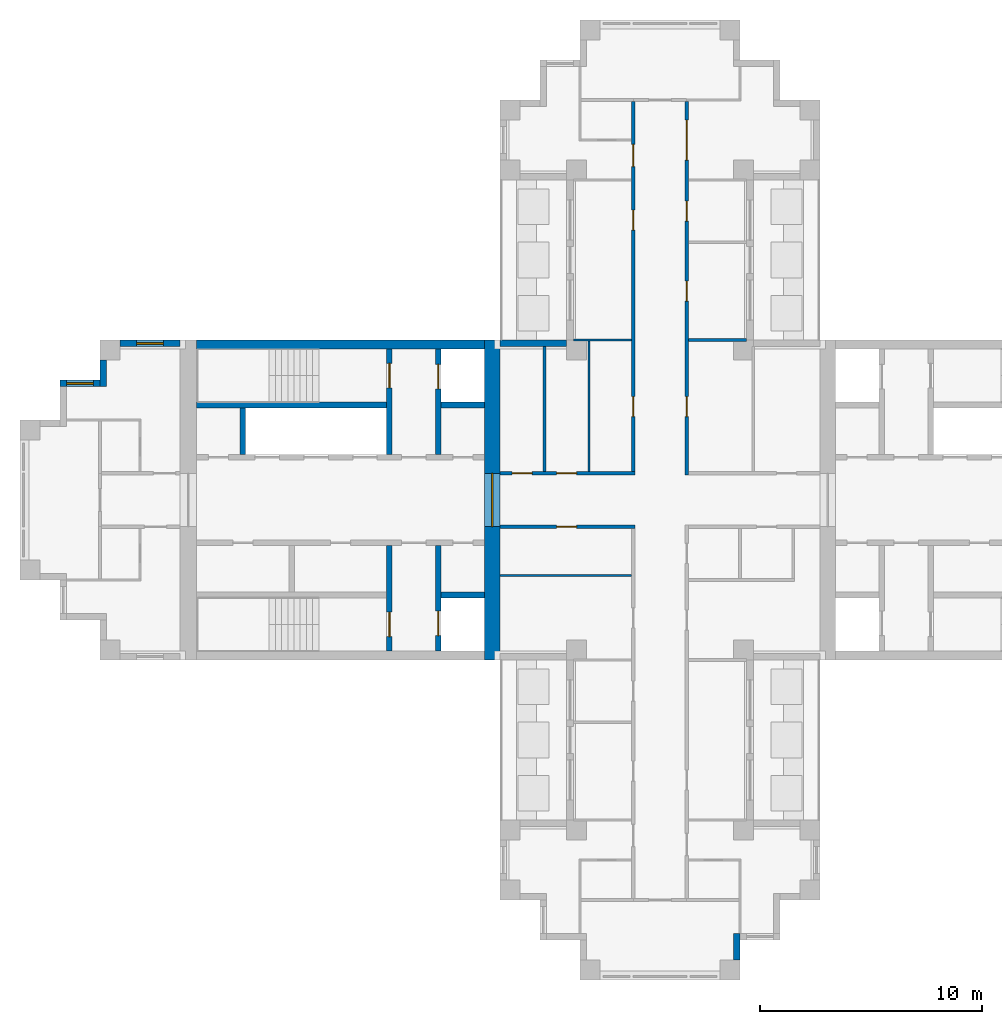
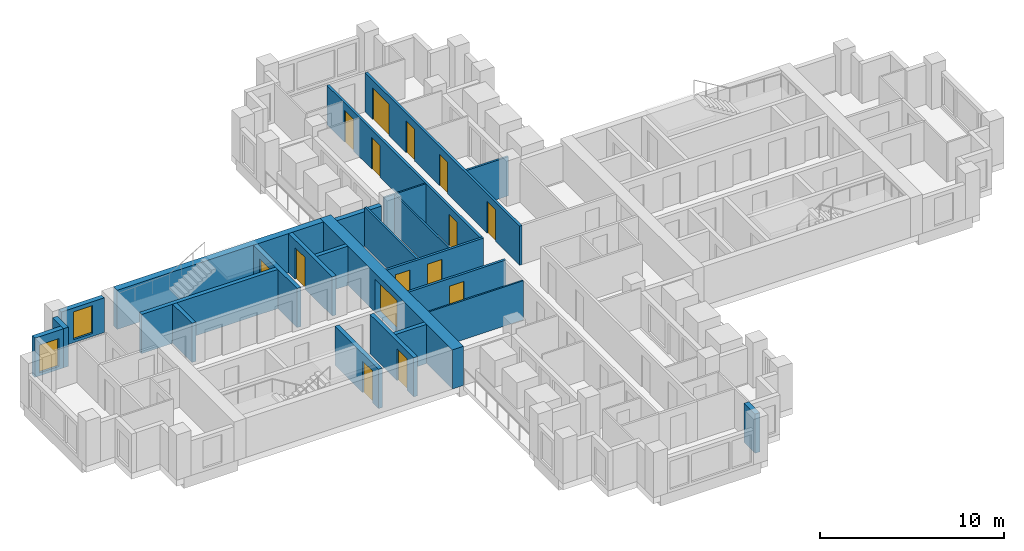
# One storey, part 4 of 10: 24 walls, 15 doors, 2 windows, 17 openings.
"""IFC4 building model written with IfcOpenShell, lengths in metres."""

from ifc_helpers import new_model, si_unit, direction, frame, frame_2d, origin, place, context, subcontext, project, spatial, rectangle, extrude, material, layer, layer_set, type_object, element, fill, save


model = new_model("IFC4")

# Units and contexts
model_context = context("Model", 3, precision=1e-05, world=origin(), true_north=direction((0.0, 1.0)))
body_context = subcontext(model_context, "Body", "Model", "MODEL_VIEW")
ifc_project = project(units=[si_unit("LENGTHUNIT", "METRE"), si_unit("AREAUNIT", "SQUARE_METRE"), si_unit("VOLUMEUNIT", "CUBIC_METRE"), si_unit("PLANEANGLEUNIT", "RADIAN"), si_unit("MASSUNIT", "GRAM", prefix="KILO")], contexts=[model_context])

# Site, building, storey
site_placement = place(None, origin())
site = spatial("IfcSite", under=ifc_project, at=site_placement, CompositionType="ELEMENT")
building_placement = place(site_placement, origin())
building = spatial("IfcBuilding", under=site, at=building_placement, Name="Fustian Cross Tower", CompositionType="ELEMENT")
storey_placement = place(building_placement, frame((0.0, 0.0, 204.89990234375)))
storey = spatial("IfcBuildingStorey", under=building, at=storey_placement, Name="L64", CompositionType="ELEMENT", Elevation=204.89990234375)

# Wall, opening, door
ifc_material_1 = material(Name="Plasterboard on steel stud", Category="steel")
ifc_layer_1 = layer(ifc_material_1, 0.14990234375)
ifc_layer_set_1 = layer_set([ifc_layer_1], Name="Plasterboard on steel stud")
wall_type_1 = type_object("IfcWallType", Name="COMPARTMENT WALL 150 EI 60", PredefinedType="PARTITIONING", material=ifc_layer_set_1)
wall_1_placement = place(storey_placement, frame((-7.199951171875, -1.199951171875, 0.0), z_axis=(0.0, 0.0, 1.0), x_axis=(1.0, 0.0, 0.0)))
wall_1 = element("IfcWall", 1, at=wall_1_placement, inside=storey, type_object=wall_type_1, Name="Partition 11", PredefinedType="PARTITIONING", context=body_context, shape_type="SweptSolid", body=[
    extrude(rectangle(XDim=6.074951171875, YDim=0.14990234375, at=frame_2d((3.03759765625, 0.0))), origin(), (0.0, 0.0, 1.0), 2.60009765625),
])
opening_1_placement = place(wall_1_placement, frame((2.550048828125, 0.0, 0.0)))
opening_1 = element("IfcOpeningElement", 2, at=opening_1_placement, cuts=wall_1, Name="Opening D29009", PredefinedType="OPENING", context=body_context, shape_type="SweptSolid", body=[
    extrude(rectangle(XDim=0.89990234375, YDim=2.10009765625, at=frame_2d((0.449951171875, 1.050048828125))), frame((0.0, 0.0849609375, 0.0), z_axis=(0.0, -1.0, 0.0), x_axis=(1.0, 0.0, 0.0)), (0.0, 0.0, 1.0), 0.169921875),
])
ifc_material_2 = material(Name="Timber fire door set", Category="wood")
door_type_1 = type_object("IfcDoorType", Name="FIRE SWING DOOR 900 FD30S", OperationType="SINGLE_SWING_LEFT", PredefinedType="DOOR", material=ifc_material_2)
door_1_placement = place(opening_1_placement, frame((0.89990234375, 0.0, 0.0), z_axis=(0.0, 0.0, 1.0), x_axis=(-1.0, 0.0, 0.0)))
door_1 = element("IfcDoor", 3, at=door_1_placement, inside=storey, type_object=door_type_1, Name="Door D29009", OperationType="SINGLE_SWING_RIGHT", OverallHeight=2.10009765625, OverallWidth=0.89990234375, PredefinedType="DOOR", context=body_context, shape_type="SweptSolid", body=[
    extrude(rectangle(XDim=0.89990234375, YDim=2.10009765625, at=frame_2d((0.449951171875, 1.050048828125))), frame((0.0, 0.02490234375, 0.0), z_axis=(0.0, -1.0, 0.0), x_axis=(1.0, 0.0, 0.0)), (0.0, 0.0, 1.0), 0.050048828125),
])
fill(opening_1, door_1)

# Wall, openings, doors
wall_2_placement = place(storey_placement, frame((-7.199951171875, 1.199951171875, 0.0), z_axis=(0.0, 0.0, 1.0), x_axis=(1.0, 0.0, 0.0)))
wall_2 = element("IfcWall", 4, at=wall_2_placement, inside=storey, type_object=wall_type_1, Name="Partition 12", PredefinedType="PARTITIONING", context=body_context, shape_type="SweptSolid", body=[
    extrude(rectangle(XDim=6.074951171875, YDim=0.14990234375, at=frame_2d((3.03759765625, 0.0))), origin(), (0.0, 0.0, 1.0), 2.60009765625),
])
opening_2_placement = place(wall_2_placement, frame((2.550048828125, 0.0, 0.0)))
opening_2 = element("IfcOpeningElement", 5, at=opening_2_placement, cuts=wall_2, Name="Opening D29004", PredefinedType="OPENING", context=body_context, shape_type="SweptSolid", body=[
    extrude(rectangle(XDim=0.89990234375, YDim=2.10009765625, at=frame_2d((0.449951171875, 1.050048828125))), frame((0.0, 0.0849609375, 0.0), z_axis=(0.0, -1.0, 0.0), x_axis=(1.0, 0.0, 0.0)), (0.0, 0.0, 1.0), 0.169921875),
])
opening_3_placement = place(wall_2_placement, frame((0.550048828125, 0.0, 0.0)))
opening_3 = element("IfcOpeningElement", 6, at=opening_3_placement, cuts=wall_2, Name="Opening D29005", PredefinedType="OPENING", context=body_context, shape_type="SweptSolid", body=[
    extrude(rectangle(XDim=0.89990234375, YDim=2.10009765625, at=frame_2d((0.449951171875, 1.050048828125))), frame((0.0, 0.0849609375, 0.0), z_axis=(0.0, -1.0, 0.0), x_axis=(1.0, 0.0, 0.0)), (0.0, 0.0, 1.0), 0.169921875),
])
door_2_placement = place(opening_2_placement, origin())
door_2 = element("IfcDoor", 7, at=door_2_placement, inside=storey, type_object=door_type_1, Name="Door D29004", OperationType="SINGLE_SWING_LEFT", OverallHeight=2.10009765625, OverallWidth=0.89990234375, PredefinedType="DOOR", context=body_context, shape_type="SweptSolid", body=[
    extrude(rectangle(XDim=0.89990234375, YDim=2.10009765625, at=frame_2d((0.449951171875, 1.050048828125))), frame((0.0, 0.02490234375, 0.0), z_axis=(0.0, -1.0, 0.0), x_axis=(1.0, 0.0, 0.0)), (0.0, 0.0, 1.0), 0.050048828125),
])
fill(opening_2, door_2)
door_3_placement = place(opening_3_placement, origin())
door_3 = element("IfcDoor", 8, at=door_3_placement, inside=storey, type_object=door_type_1, Name="Door D29005", OperationType="SINGLE_SWING_LEFT", OverallHeight=2.10009765625, OverallWidth=0.89990234375, PredefinedType="DOOR", context=body_context, shape_type="SweptSolid", body=[
    extrude(rectangle(XDim=0.89990234375, YDim=2.10009765625, at=frame_2d((0.449951171875, 1.050048828125))), frame((0.0, 0.02490234375, 0.0), z_axis=(0.0, -1.0, 0.0), x_axis=(1.0, 0.0, 0.0)), (0.0, 0.0, 1.0), 0.050048828125),
])
fill(opening_3, door_3)

wall_3_placement = place(storey_placement, frame((-1.199951171875, 1.27490234375, 0.0), z_axis=(0.0, 0.0, 1.0), x_axis=(0.0, 1.0, 0.0)))
wall_3 = element("IfcWall", 9, at=wall_3_placement, inside=storey, type_object=wall_type_1, Name="Partition 28", PredefinedType="PARTITIONING", context=body_context, shape_type="SweptSolid", body=[
    extrude(rectangle(XDim=16.650146484375, YDim=0.14990234375, at=frame_2d((8.3251953125, 0.0))), origin(), (0.0, 0.0, 1.0), 2.60009765625),
])
opening_4_placement = place(wall_3_placement, frame((2.47509765625, 0.0, 0.0)))
opening_4 = element("IfcOpeningElement", 10, at=opening_4_placement, cuts=wall_3, Name="Opening D29003", PredefinedType="OPENING", context=body_context, shape_type="SweptSolid", body=[
    extrude(rectangle(XDim=0.89990234375, YDim=2.10009765625, at=frame_2d((0.449951171875, 1.050048828125))), frame((0.0, 0.0849609375, 0.0), z_axis=(0.0, -1.0, 0.0), x_axis=(1.0, 0.0, 0.0)), (0.0, 0.0, 1.0), 0.169921875),
])
opening_5_placement = place(wall_3_placement, frame((10.875, 0.0, 0.0)))
opening_5 = element("IfcOpeningElement", 11, at=opening_5_placement, cuts=wall_3, Name="Opening D29015", PredefinedType="OPENING", context=body_context, shape_type="SweptSolid", body=[
    extrude(rectangle(XDim=0.89990234375, YDim=2.10009765625, at=frame_2d((0.449951171875, 1.050048828125))), frame((0.0, 0.0849609375, 0.0), z_axis=(0.0, -1.0, 0.0), x_axis=(1.0, 0.0, 0.0)), (0.0, 0.0, 1.0), 0.169921875),
])
opening_6_placement = place(wall_3_placement, frame((13.72509765625, 0.0, 0.0)))
opening_6 = element("IfcOpeningElement", 12, at=opening_6_placement, cuts=wall_3, Name="Opening D29017", PredefinedType="OPENING", context=body_context, shape_type="SweptSolid", body=[
    extrude(rectangle(XDim=1.0, YDim=2.10009765625, at=frame_2d((0.5, 1.050048828125))), frame((0.0, 0.0849609375, 0.0), z_axis=(0.0, -1.0, 0.0), x_axis=(1.0, 0.0, 0.0)), (0.0, 0.0, 1.0), 0.169921875),
])
ifc_material_3 = material(Name="Timber fire door set", Category="wood")
door_type_2 = type_object("IfcDoorType", Name="FIRE SWING DOOR 1000 FD30S", OperationType="SINGLE_SWING_LEFT", PredefinedType="DOOR", material=ifc_material_3)
door_4_placement = place(opening_6_placement, origin())
door_4 = element("IfcDoor", 13, at=door_4_placement, inside=storey, type_object=door_type_2, Name="Door D29017", OperationType="SINGLE_SWING_RIGHT", OverallHeight=2.10009765625, OverallWidth=1.0, PredefinedType="DOOR", context=body_context, shape_type="SweptSolid", body=[
    extrude(rectangle(XDim=1.0, YDim=2.10009765625, at=frame_2d((0.5, 1.050048828125))), frame((0.0, 0.02490234375, 0.0), z_axis=(0.0, -1.0, 0.0), x_axis=(1.0, 0.0, 0.0)), (0.0, 0.0, 1.0), 0.050048828125),
])
fill(opening_6, door_4)
door_5_placement = place(opening_4_placement, origin())
door_5 = element("IfcDoor", 14, at=door_5_placement, inside=storey, type_object=door_type_1, Name="Door D29003", OperationType="SINGLE_SWING_LEFT", OverallHeight=2.10009765625, OverallWidth=0.89990234375, PredefinedType="DOOR", context=body_context, shape_type="SweptSolid", body=[
    extrude(rectangle(XDim=0.89990234375, YDim=2.10009765625, at=frame_2d((0.449951171875, 1.050048828125))), frame((0.0, 0.02490234375, 0.0), z_axis=(0.0, -1.0, 0.0), x_axis=(1.0, 0.0, 0.0)), (0.0, 0.0, 1.0), 0.050048828125),
])
fill(opening_4, door_5)
door_6_placement = place(opening_5_placement, origin())
door_6 = element("IfcDoor", 15, at=door_6_placement, inside=storey, type_object=door_type_1, Name="Door D29015", OperationType="SINGLE_SWING_RIGHT", OverallHeight=2.10009765625, OverallWidth=0.89990234375, PredefinedType="DOOR", context=body_context, shape_type="SweptSolid", body=[
    extrude(rectangle(XDim=0.89990234375, YDim=2.10009765625, at=frame_2d((0.449951171875, 1.050048828125))), frame((0.0, 0.02490234375, 0.0), z_axis=(0.0, -1.0, 0.0), x_axis=(1.0, 0.0, 0.0)), (0.0, 0.0, 1.0), 0.050048828125),
])
fill(opening_5, door_6)

wall_4_placement = place(storey_placement, frame((1.199951171875, 1.125, 0.0), z_axis=(0.0, 0.0, 1.0), x_axis=(0.0, 1.0, 0.0)))
wall_4 = element("IfcWall", 16, at=wall_4_placement, inside=storey, type_object=wall_type_1, Name="Partition 37", PredefinedType="PARTITIONING", context=body_context, shape_type="SweptSolid", body=[
    extrude(rectangle(XDim=16.800048828125, YDim=0.14990234375, at=frame_2d((8.39990234375, 0.0))), origin(), (0.0, 0.0, 1.0), 2.60009765625),
])
opening_7_placement = place(wall_4_placement, frame((2.625, 0.0, 0.0)))
opening_7 = element("IfcOpeningElement", 17, at=opening_7_placement, cuts=wall_4, Name="Opening D29001", PredefinedType="OPENING", context=body_context, shape_type="SweptSolid", body=[
    extrude(rectangle(XDim=0.89990234375, YDim=2.10009765625, at=frame_2d((0.449951171875, 1.050048828125))), frame((0.0, 0.0849609375, 0.0), z_axis=(0.0, -1.0, 0.0), x_axis=(1.0, 0.0, 0.0)), (0.0, 0.0, 1.0), 0.169921875),
])
opening_8_placement = place(wall_4_placement, frame((11.425048828125, 0.0, 0.0)))
opening_8 = element("IfcOpeningElement", 18, at=opening_8_placement, cuts=wall_4, Name="Opening D29018", PredefinedType="OPENING", context=body_context, shape_type="SweptSolid", body=[
    extrude(rectangle(XDim=0.89990234375, YDim=2.10009765625, at=frame_2d((0.449951171875, 1.050048828125))), frame((0.0, 0.0849609375, 0.0), z_axis=(0.0, -1.0, 0.0), x_axis=(1.0, 0.0, 0.0)), (0.0, 0.0, 1.0), 0.169921875),
])
opening_9_placement = place(wall_4_placement, frame((7.824951171875, 0.0, 0.0)))
opening_9 = element("IfcOpeningElement", 19, at=opening_9_placement, cuts=wall_4, Name="Opening D29019", PredefinedType="OPENING", context=body_context, shape_type="SweptSolid", body=[
    extrude(rectangle(XDim=0.89990234375, YDim=2.10009765625, at=frame_2d((0.449951171875, 1.050048828125))), frame((0.0, 0.0849609375, 0.0), z_axis=(0.0, -1.0, 0.0), x_axis=(1.0, 0.0, 0.0)), (0.0, 0.0, 1.0), 0.169921875),
])
opening_10_placement = place(wall_4_placement, frame((14.175048828125, 0.0, 0.0)))
opening_10 = element("IfcOpeningElement", 20, at=opening_10_placement, cuts=wall_4, Name="Opening D29020", PredefinedType="OPENING", context=body_context, shape_type="SweptSolid", body=[
    extrude(rectangle(XDim=1.800048828125, YDim=2.10009765625, at=frame_2d((0.89990234375, 1.050048828125))), frame((0.0, 0.0849609375, 0.0), z_axis=(0.0, -1.0, 0.0), x_axis=(1.0, 0.0, 0.0)), (0.0, 0.0, 1.0), 0.169921875),
])
ifc_material_4 = material(Name="Timber fire door set", Category="wood")
door_type_3 = type_object("IfcDoorType", Name="FIRE DOUBLE DOOR 1800 FD30S", OperationType="DOUBLE_DOOR_DOUBLE_SWING", PredefinedType="DOOR", material=ifc_material_4)
door_7_placement = place(opening_10_placement, origin())
door_7 = element("IfcDoor", 21, at=door_7_placement, inside=storey, type_object=door_type_3, Name="Door D29020", OperationType="DOUBLE_DOOR_DOUBLE_SWING", OverallHeight=2.10009765625, OverallWidth=1.800048828125, PredefinedType="DOOR", context=body_context, shape_type="SweptSolid", body=[
    extrude(rectangle(XDim=1.800048828125, YDim=2.10009765625, at=frame_2d((0.89990234375, 1.050048828125))), frame((0.0, 0.02490234375, 0.0), z_axis=(0.0, -1.0, 0.0), x_axis=(1.0, 0.0, 0.0)), (0.0, 0.0, 1.0), 0.050048828125),
])
fill(opening_10, door_7)
door_8_placement = place(opening_7_placement, frame((0.89990234375, 0.0, 0.0), z_axis=(0.0, 0.0, 1.0), x_axis=(-1.0, 0.0, 0.0)))
door_8 = element("IfcDoor", 22, at=door_8_placement, inside=storey, type_object=door_type_1, Name="Door D29001", OperationType="SINGLE_SWING_RIGHT", OverallHeight=2.10009765625, OverallWidth=0.89990234375, PredefinedType="DOOR", context=body_context, shape_type="SweptSolid", body=[
    extrude(rectangle(XDim=0.89990234375, YDim=2.10009765625, at=frame_2d((0.449951171875, 1.050048828125))), frame((0.0, 0.02490234375, 0.0), z_axis=(0.0, -1.0, 0.0), x_axis=(1.0, 0.0, 0.0)), (0.0, 0.0, 1.0), 0.050048828125),
])
fill(opening_7, door_8)
door_9_placement = place(opening_8_placement, frame((0.89990234375, 0.0, 0.0), z_axis=(0.0, 0.0, 1.0), x_axis=(-1.0, 0.0, 0.0)))
door_9 = element("IfcDoor", 23, at=door_9_placement, inside=storey, type_object=door_type_1, Name="Door D29018", OperationType="SINGLE_SWING_RIGHT", OverallHeight=2.10009765625, OverallWidth=0.89990234375, PredefinedType="DOOR", context=body_context, shape_type="SweptSolid", body=[
    extrude(rectangle(XDim=0.89990234375, YDim=2.10009765625, at=frame_2d((0.449951171875, 1.050048828125))), frame((0.0, 0.02490234375, 0.0), z_axis=(0.0, -1.0, 0.0), x_axis=(1.0, 0.0, 0.0)), (0.0, 0.0, 1.0), 0.050048828125),
])
fill(opening_8, door_9)
door_10_placement = place(opening_9_placement, frame((0.89990234375, 0.0, 0.0), z_axis=(0.0, 0.0, 1.0), x_axis=(-1.0, 0.0, 0.0)))
door_10 = element("IfcDoor", 24, at=door_10_placement, inside=storey, type_object=door_type_1, Name="Door D29019", OperationType="SINGLE_SWING_RIGHT", OverallHeight=2.10009765625, OverallWidth=0.89990234375, PredefinedType="DOOR", context=body_context, shape_type="SweptSolid", body=[
    extrude(rectangle(XDim=0.89990234375, YDim=2.10009765625, at=frame_2d((0.449951171875, 1.050048828125))), frame((0.0, 0.02490234375, 0.0), z_axis=(0.0, -1.0, 0.0), x_axis=(1.0, 0.0, 0.0)), (0.0, 0.0, 1.0), 0.050048828125),
])
fill(opening_9, door_10)

# Wall, opening, door
ifc_material_5 = material(Name="Concrete C50/60", Category="concrete")
ifc_layer_2 = layer(ifc_material_5, 0.699951171875)
ifc_layer_set_2 = layer_set([ifc_layer_2], Name="Concrete C50/60")
wall_type_2 = type_object("IfcWallType", Name="CORE END WALL 700 C50/60", PredefinedType="SHEAR", material=ifc_layer_set_2)
wall_5_placement = place(storey_placement, frame((-7.550048828125, -7.199951171875, 0.0), z_axis=(0.0, 0.0, 1.0), x_axis=(0.0, 1.0, 0.0)))
wall_5 = element("IfcWall", 25, at=wall_5_placement, inside=storey, type_object=wall_type_2, Name="Core end wall", PredefinedType="SHEAR", context=body_context, shape_type="SweptSolid", body=[
    extrude(rectangle(XDim=14.39990234375, YDim=0.699951171875, at=frame_2d((7.199951171875, 0.0))), origin(), (0.0, 0.0, 1.0), 2.60009765625),
])
opening_11_placement = place(wall_5_placement, frame((6.0, 0.0, 0.0)))
opening_11 = element("IfcOpeningElement", 26, at=opening_11_placement, cuts=wall_5, Name="Opening CD-27-28", PredefinedType="OPENING", context=body_context, shape_type="SweptSolid", body=[
    extrude(rectangle(XDim=2.39990234375, YDim=2.199951171875, at=frame_2d((1.199951171875, 1.10009765625))), frame((0.0, 0.35986328125, 0.0), z_axis=(0.0, -1.0, 0.0), x_axis=(1.0, 0.0, 0.0)), (0.0, 0.0, 1.0), 0.719970703125),
])
ifc_material_6 = material(Name="Steel", Category="steel")
door_type_4 = type_object("IfcDoorType", Name="FIRE DOOR FD30S DOUBLE 2400X2200", OperationType="DOUBLE_DOOR_DOUBLE_SWING", PredefinedType="DOOR", material=ifc_material_6)
door_11_placement = place(opening_11_placement, origin())
door_11 = element("IfcDoor", 27, at=door_11_placement, inside=storey, type_object=door_type_4, Name="Core door CD-27-28", OperationType="DOUBLE_DOOR_DOUBLE_SWING", OverallHeight=2.199951171875, OverallWidth=2.39990234375, PredefinedType="DOOR", context=body_context, shape_type="SweptSolid", body=[
    extrude(rectangle(XDim=2.39990234375, YDim=2.199951171875, at=frame_2d((1.199951171875, 1.10009765625))), frame((0.0, 0.02490234375, 0.0), z_axis=(0.0, -1.0, 0.0), x_axis=(1.0, 0.0, 0.0)), (0.0, 0.0, 1.0), 0.050048828125),
])
fill(opening_11, door_11)

# Walls
ifc_material_7 = material(Name="Concrete C50/60", Category="concrete")
ifc_layer_3 = layer(ifc_material_7, 0.39990234375)
ifc_layer_set_3 = layer_set([ifc_layer_3], Name="Concrete C50/60")
wall_type_3 = type_object("IfcWallType", Name="CORE FACADE WALL 400 C50/60", PredefinedType="SHEAR", material=ifc_layer_set_3)
wall_6_placement = place(storey_placement, frame((-7.89990234375, 7.0, 0.0), z_axis=(0.0, 0.0, 1.0), x_axis=(-1.0, 0.0, 0.0)))
element("IfcWall", 28, at=wall_6_placement, inside=storey, type_object=wall_type_3, Name="Core facade wall", PredefinedType="SHEAR", context=body_context, shape_type="SweptSolid", body=[
    extrude(rectangle(XDim=12.9501953125, YDim=0.39990234375, at=frame_2d((6.47509765625, 0.0))), origin(), (0.0, 0.0, 1.0), 2.60009765625),
])
ifc_material_8 = material(Name="Concrete C50/60", Category="concrete")
ifc_layer_4 = layer(ifc_material_8, 0.25)
ifc_layer_set_4 = layer_set([ifc_layer_4], Name="Concrete C50/60")
wall_type_4 = type_object("IfcWallType", Name="CORE SHAFT WALL 250 C50/60", PredefinedType="SHEAR", material=ifc_layer_set_4)
wall_7_placement = place(storey_placement, frame((-7.89990234375, 4.27490234375, 0.0), z_axis=(0.0, 0.0, 1.0), x_axis=(-1.0, 0.0, 0.0)))
element("IfcWall", 29, at=wall_7_placement, inside=storey, type_object=wall_type_4, Name="Core shaft wall", PredefinedType="SHEAR", context=body_context, shape_type="SweptSolid", body=[
    extrude(rectangle(XDim=1.9501953125, YDim=0.25, at=frame_2d((0.97509765625, 0.0))), origin(), (0.0, 0.0, 1.0), 2.60009765625),
])
wall_8_placement = place(storey_placement, frame((-12.300048828125, 4.27490234375, 0.0), z_axis=(0.0, 0.0, 1.0), x_axis=(-1.0, 0.0, 0.0)))
element("IfcWall", 30, at=wall_8_placement, inside=storey, type_object=wall_type_4, Name="Core shaft wall", PredefinedType="SHEAR", context=body_context, shape_type="SweptSolid", body=[
    extrude(rectangle(XDim=8.550048828125, YDim=0.25, at=frame_2d((4.27490234375, 0.0))), origin(), (0.0, 0.0, 1.0), 2.60009765625),
])

# Wall, opening, door
wall_9_placement = place(storey_placement, frame((-9.97509765625, 2.050048828125, 0.0), z_axis=(0.0, 0.0, 1.0), x_axis=(0.0, 1.0, 0.0)))
wall_9 = element("IfcWall", 31, at=wall_9_placement, inside=storey, type_object=wall_type_4, Name="Core shaft wall", PredefinedType="SHEAR", context=body_context, shape_type="SweptSolid", body=[
    extrude(rectangle(XDim=4.75, YDim=0.25, at=frame_2d((2.375, 0.0))), origin(), (0.0, 0.0, 1.0), 2.60009765625),
])
opening_12_placement = place(wall_9_placement, frame((2.949951171875, 0.0, 0.0)))
opening_12 = element("IfcOpeningElement", 32, at=opening_12_placement, cuts=wall_9, Name="Opening LD", PredefinedType="OPENING", context=body_context, shape_type="SweptSolid", body=[
    extrude(rectangle(XDim=1.10009765625, YDim=2.10009765625, at=frame_2d((0.550048828125, 1.050048828125))), frame((0.0, 0.135009765625, 0.0), z_axis=(0.0, -1.0, 0.0), x_axis=(1.0, 0.0, 0.0)), (0.0, 0.0, 1.0), 0.27001953125),
])
ifc_material_9 = material(Name="Stainless steel", Category="steel")
door_type_5 = type_object("IfcDoorType", Name="LIFT LANDING DOOR 1100X2100", OperationType="SLIDING_TO_LEFT", PredefinedType="DOOR", material=ifc_material_9)
door_12_placement = place(opening_12_placement, origin())
door_12 = element("IfcDoor", 33, at=door_12_placement, inside=storey, type_object=door_type_5, Name="Landing door FL1W", OperationType="SLIDING_TO_LEFT", OverallHeight=2.10009765625, OverallWidth=1.10009765625, PredefinedType="DOOR", context=body_context, shape_type="SweptSolid", body=[
    extrude(rectangle(XDim=1.10009765625, YDim=2.10009765625, at=frame_2d((0.550048828125, 1.050048828125))), frame((0.0, 0.02490234375, 0.0), z_axis=(0.0, -1.0, 0.0), x_axis=(1.0, 0.0, 0.0)), (0.0, 0.0, 1.0), 0.050048828125),
])
fill(opening_12, door_12)

wall_10_placement = place(storey_placement, frame((-12.175048828125, 2.050048828125, 0.0), z_axis=(0.0, 0.0, 1.0), x_axis=(0.0, 1.0, 0.0)))
wall_10 = element("IfcWall", 34, at=wall_10_placement, inside=storey, type_object=wall_type_4, Name="Core shaft wall", PredefinedType="SHEAR", context=body_context, shape_type="SweptSolid", body=[
    extrude(rectangle(XDim=4.75, YDim=0.25, at=frame_2d((2.375, 0.0))), origin(), (0.0, 0.0, 1.0), 2.60009765625),
])
opening_13_placement = place(wall_10_placement, frame((3.0, 0.0, 0.0)))
opening_13 = element("IfcOpeningElement", 35, at=opening_13_placement, cuts=wall_10, Name="Opening CD-27-22", PredefinedType="OPENING", context=body_context, shape_type="SweptSolid", body=[
    extrude(rectangle(XDim=1.10009765625, YDim=2.10009765625, at=frame_2d((0.550048828125, 1.050048828125))), frame((0.0, 0.135009765625, 0.0), z_axis=(0.0, -1.0, 0.0), x_axis=(1.0, 0.0, 0.0)), (0.0, 0.0, 1.0), 0.27001953125),
])
ifc_material_10 = material(Name="Steel", Category="steel")
door_type_6 = type_object("IfcDoorType", Name="FIRE DOOR FD60S 1100X2100", OperationType="SINGLE_SWING_LEFT", PredefinedType="DOOR", material=ifc_material_10)
door_13_placement = place(opening_13_placement, origin())
door_13 = element("IfcDoor", 36, at=door_13_placement, inside=storey, type_object=door_type_6, Name="Core door CD-27-22", OperationType="SINGLE_SWING_LEFT", OverallHeight=2.10009765625, OverallWidth=1.10009765625, PredefinedType="DOOR", context=body_context, shape_type="SweptSolid", body=[
    extrude(rectangle(XDim=1.10009765625, YDim=2.10009765625, at=frame_2d((0.550048828125, 1.050048828125))), frame((0.0, 0.02490234375, 0.0), z_axis=(0.0, -1.0, 0.0), x_axis=(1.0, 0.0, 0.0)), (0.0, 0.0, 1.0), 0.050048828125),
])
fill(opening_13, door_13)

# Wall
wall_11_placement = place(storey_placement, frame((-7.89990234375, -4.27490234375, 0.0), z_axis=(0.0, 0.0, 1.0), x_axis=(-1.0, 0.0, 0.0)))
element("IfcWall", 37, at=wall_11_placement, inside=storey, type_object=wall_type_4, Name="Core shaft wall", PredefinedType="SHEAR", context=body_context, shape_type="SweptSolid", body=[
    extrude(rectangle(XDim=1.9501953125, YDim=0.25, at=frame_2d((0.97509765625, 0.0))), origin(), (0.0, 0.0, 1.0), 2.60009765625),
])

# Wall, opening, door
wall_12_placement = place(storey_placement, frame((-9.97509765625, -2.050048828125, 0.0), z_axis=(0.0, 0.0, 1.0), x_axis=(0.0, -1.0, 0.0)))
wall_12 = element("IfcWall", 38, at=wall_12_placement, inside=storey, type_object=wall_type_4, Name="Core shaft wall", PredefinedType="SHEAR", context=body_context, shape_type="SweptSolid", body=[
    extrude(rectangle(XDim=4.75, YDim=0.25, at=frame_2d((2.375, 0.0))), origin(), (0.0, 0.0, 1.0), 2.60009765625),
])
opening_14_placement = place(wall_12_placement, frame((2.949951171875, 0.0, 0.0)))
opening_14 = element("IfcOpeningElement", 39, at=opening_14_placement, cuts=wall_12, Name="Opening LD", PredefinedType="OPENING", context=body_context, shape_type="SweptSolid", body=[
    extrude(rectangle(XDim=1.10009765625, YDim=2.10009765625, at=frame_2d((0.550048828125, 1.050048828125))), frame((0.0, 0.135009765625, 0.0), z_axis=(0.0, -1.0, 0.0), x_axis=(1.0, 0.0, 0.0)), (0.0, 0.0, 1.0), 0.27001953125),
])
door_14_placement = place(opening_14_placement, origin())
door_14 = element("IfcDoor", 40, at=door_14_placement, inside=storey, type_object=door_type_5, Name="Landing door SV1W", OperationType="SLIDING_TO_LEFT", OverallHeight=2.10009765625, OverallWidth=1.10009765625, PredefinedType="DOOR", context=body_context, shape_type="SweptSolid", body=[
    extrude(rectangle(XDim=1.10009765625, YDim=2.10009765625, at=frame_2d((0.550048828125, 1.050048828125))), frame((0.0, 0.02490234375, 0.0), z_axis=(0.0, -1.0, 0.0), x_axis=(1.0, 0.0, 0.0)), (0.0, 0.0, 1.0), 0.050048828125),
])
fill(opening_14, door_14)

wall_13_placement = place(storey_placement, frame((-12.175048828125, -2.050048828125, 0.0), z_axis=(0.0, 0.0, 1.0), x_axis=(0.0, -1.0, 0.0)))
wall_13 = element("IfcWall", 41, at=wall_13_placement, inside=storey, type_object=wall_type_4, Name="Core shaft wall", PredefinedType="SHEAR", context=body_context, shape_type="SweptSolid", body=[
    extrude(rectangle(XDim=4.75, YDim=0.25, at=frame_2d((2.375, 0.0))), origin(), (0.0, 0.0, 1.0), 2.60009765625),
])
opening_15_placement = place(wall_13_placement, frame((3.0, 0.0, 0.0)))
opening_15 = element("IfcOpeningElement", 42, at=opening_15_placement, cuts=wall_13, Name="Opening CD-27-23", PredefinedType="OPENING", context=body_context, shape_type="SweptSolid", body=[
    extrude(rectangle(XDim=1.10009765625, YDim=2.10009765625, at=frame_2d((0.550048828125, 1.050048828125))), frame((0.0, 0.135009765625, 0.0), z_axis=(0.0, -1.0, 0.0), x_axis=(1.0, 0.0, 0.0)), (0.0, 0.0, 1.0), 0.27001953125),
])
door_15_placement = place(opening_15_placement, frame((1.10009765625, 0.0, 0.0), z_axis=(0.0, 0.0, 1.0), x_axis=(-1.0, 0.0, 0.0)))
door_15 = element("IfcDoor", 43, at=door_15_placement, inside=storey, type_object=door_type_6, Name="Core door CD-27-23", OperationType="SINGLE_SWING_RIGHT", OverallHeight=2.10009765625, OverallWidth=1.10009765625, PredefinedType="DOOR", context=body_context, shape_type="SweptSolid", body=[
    extrude(rectangle(XDim=1.10009765625, YDim=2.10009765625, at=frame_2d((0.550048828125, 1.050048828125))), frame((0.0, 0.02490234375, 0.0), z_axis=(0.0, -1.0, 0.0), x_axis=(1.0, 0.0, 0.0)), (0.0, 0.0, 1.0), 0.050048828125),
])
fill(opening_15, door_15)

# Walls
ifc_material_11 = material(Name="Plasterboard on steel stud", Category="steel")
ifc_layer_5 = layer(ifc_material_11, 0.10009765625)
ifc_layer_set_5 = layer_set([ifc_layer_5], Name="Plasterboard on steel stud")
wall_type_5 = type_object("IfcWallType", Name="PARTITION 100 STUD", PredefinedType="PARTITIONING", material=ifc_layer_set_5)
wall_14_placement = place(storey_placement, frame((-7.199951171875, -3.39990234375, 0.0), z_axis=(0.0, 0.0, 1.0), x_axis=(1.0, 0.0, 0.0)))
element("IfcWall", 44, at=wall_14_placement, inside=storey, type_object=wall_type_5, Name="Partition 10", PredefinedType="PARTITIONING", context=body_context, shape_type="SweptSolid", body=[
    extrude(rectangle(XDim=5.925048828125, YDim=0.10009765625, at=frame_2d((2.96240234375, 0.0))), origin(), (0.0, 0.0, 1.0), 2.60009765625),
])
wall_15_placement = place(storey_placement, frame((-3.89990234375, 7.199951171875, 0.0), z_axis=(0.0, 0.0, 1.0), x_axis=(1.0, 0.0, 0.0)))
element("IfcWall", 45, at=wall_15_placement, inside=storey, type_object=wall_type_5, Name="Partition 17", PredefinedType="PARTITIONING", context=body_context, shape_type="SweptSolid", body=[
    extrude(rectangle(XDim=2.625, YDim=0.10009765625, at=frame_2d((1.3125, 0.0))), origin(), (0.0, 0.0, 1.0), 2.60009765625),
])
wall_16_placement = place(storey_placement, frame((-3.199951171875, 1.27490234375, 0.0), z_axis=(0.0, 0.0, 1.0), x_axis=(0.0, 1.0, 0.0)))
element("IfcWall", 46, at=wall_16_placement, inside=storey, type_object=wall_type_5, Name="Partition 25", PredefinedType="PARTITIONING", context=body_context, shape_type="SweptSolid", body=[
    extrude(rectangle(XDim=5.875, YDim=0.10009765625, at=frame_2d((2.9375, 0.0))), origin(), (0.0, 0.0, 1.0), 2.60009765625),
])
ifc_material_12 = material(Name="Concrete C40/50", Category="concrete")
ifc_layer_6 = layer(ifc_material_12, 0.25)
ifc_layer_set_6 = layer_set([ifc_layer_6], Name="Concrete C40/50")
wall_type_6 = type_object("IfcWallType", Name="SHAFT PARTITION WALL 250 C40/50", PredefinedType="PARTITIONING", material=ifc_layer_set_6)
wall_17_placement = place(storey_placement, frame((-18.77490234375, 2.050048828125, 0.0), z_axis=(0.0, 0.0, 1.0), x_axis=(0.0, 1.0, 0.0)))
element("IfcWall", 47, at=wall_17_placement, inside=storey, type_object=wall_type_6, Name="Core shaft wall", PredefinedType="PARTITIONING", context=body_context, shape_type="SweptSolid", body=[
    extrude(rectangle(XDim=2.099853515625, YDim=0.25, at=frame_2d((1.0498046875, 0.0))), origin(), (0.0, 0.0, 1.0), 2.60009765625),
])
ifc_material_13 = material(Name="Plasterboard on steel stud", Category="steel")
ifc_layer_7 = layer(ifc_material_13, 0.125)
ifc_layer_set_7 = layer_set([ifc_layer_7], Name="Plasterboard on steel stud")
wall_type_7 = type_object("IfcWallType", Name="WET WALL 125 STUD", PredefinedType="PARTITIONING", material=ifc_layer_set_7)
wall_18_placement = place(storey_placement, frame((-5.199951171875, 1.27490234375, 0.0), z_axis=(0.0, 0.0, 1.0), x_axis=(0.0, 1.0, 0.0)))
element("IfcWall", 48, at=wall_18_placement, inside=storey, type_object=wall_type_7, Name="Partition 13", PredefinedType="PARTITIONING", context=body_context, shape_type="SweptSolid", body=[
    extrude(rectangle(XDim=5.625, YDim=0.125, at=frame_2d((2.8125, 0.0))), origin(), (0.0, 0.0, 1.0), 2.60009765625),
])
wall_19_placement = place(storey_placement, frame((1.27490234375, 7.199951171875, 0.0), z_axis=(0.0, 0.0, 1.0), x_axis=(1.0, 0.0, 0.0)))
element("IfcWall", 49, at=wall_19_placement, inside=storey, type_object=wall_type_7, Name="Partition 39", PredefinedType="PARTITIONING", context=body_context, shape_type="SweptSolid", body=[
    extrude(rectangle(XDim=2.625, YDim=0.125, at=frame_2d((1.3125, 0.0))), origin(), (0.0, 0.0, 1.0), 2.60009765625),
])
ifc_material_14 = material(Name="Dark aluminium cladding on insulated backing wall", Category="aluminium")
ifc_layer_8 = layer(ifc_material_14, 0.300048828125)
ifc_layer_set_8 = layer_set([ifc_layer_8], Name="Dark aluminium cladding on insulated backing wall")
wall_type_8 = type_object("IfcWallType", Name="XW1 EXTERNAL WALL 300", PredefinedType="SOLIDWALL", material=ifc_layer_set_8)
wall_20_placement = place(storey_placement, frame((-4.199951171875, 7.050048828125, 0.0), z_axis=(0.0, 0.0, 1.0), x_axis=(-1.0, 0.0, 0.0)))
element("IfcWall", 50, at=wall_20_placement, inside=storey, type_object=wall_type_8, Name="External wall", PredefinedType="SOLIDWALL", context=body_context, shape_type="SweptSolid", body=[
    extrude(rectangle(XDim=3.0, YDim=0.300048828125, at=frame_2d((1.5, 0.0))), origin(), (0.0, 0.0, 1.0), 2.300048828125),
])

# Wall, opening, window
wall_21_placement = place(storey_placement, frame((-21.60009765625, 7.050048828125, 0.0), z_axis=(0.0, 0.0, 1.0), x_axis=(-1.0, 0.0, 0.0)))
wall_21 = element("IfcWall", 51, at=wall_21_placement, inside=storey, type_object=wall_type_8, Name="External wall", PredefinedType="SOLIDWALL", context=body_context, shape_type="SweptSolid", body=[
    extrude(rectangle(XDim=2.699951171875, YDim=0.300048828125, at=frame_2d((1.35009765625, 0.0))), origin(), (0.0, 0.0, 1.0), 2.300048828125),
])
opening_16_placement = place(wall_21_placement, frame((0.75, 0.0, 0.199951171875)))
opening_16 = element("IfcOpeningElement", 52, at=opening_16_placement, cuts=wall_21, Name="Opening WN3", PredefinedType="OPENING", context=body_context, shape_type="SweptSolid", body=[
    extrude(rectangle(XDim=1.199951171875, YDim=1.85009765625, at=frame_2d((0.60009765625, 0.925048828125))), frame((0.0, 0.159912109375, 0.0), z_axis=(0.0, -1.0, 0.0), x_axis=(1.0, 0.0, 0.0)), (0.0, 0.0, 1.0), 0.320068359375),
])
ifc_material_15 = material(Name="Dark anodised aluminium and double glazing", Category="aluminium")
window_type = type_object("IfcWindowType", Name="WN3 WINDOW 1200X1850", PartitioningType="SINGLE_PANEL", PredefinedType="WINDOW", material=ifc_material_15)
window_1_placement = place(opening_16_placement, origin())
window_1 = element("IfcWindow", 53, at=window_1_placement, inside=storey, type_object=window_type, Name="Window", OverallHeight=1.85009765625, OverallWidth=1.199951171875, PartitioningType="SINGLE_PANEL", PredefinedType="WINDOW", context=body_context, shape_type="SweptSolid", body=[
    extrude(rectangle(XDim=1.199951171875, YDim=1.85009765625, at=frame_2d((0.60009765625, 0.925048828125))), frame((0.0, 0.030029296875, 0.0), z_axis=(0.0, -1.0, 0.0), x_axis=(1.0, 0.0, 0.0)), (0.0, 0.0, 1.0), 0.06005859375),
])
fill(opening_16, window_1)

# Wall
wall_22_placement = place(storey_placement, frame((-25.050048828125, 6.300048828125, 0.0), z_axis=(0.0, 0.0, 1.0), x_axis=(0.0, -1.0, 0.0)))
element("IfcWall", 54, at=wall_22_placement, inside=storey, type_object=wall_type_8, Name="External wall", PredefinedType="SOLIDWALL", context=body_context, shape_type="SweptSolid", body=[
    extrude(rectangle(XDim=1.199951171875, YDim=0.300048828125, at=frame_2d((0.60009765625, 0.0))), origin(), (0.0, 0.0, 1.0), 2.60009765625),
])

# Wall, opening, window
wall_23_placement = place(storey_placement, frame((-25.199951171875, 5.25, 0.0), z_axis=(0.0, 0.0, 1.0), x_axis=(-1.0, 0.0, 0.0)))
wall_23 = element("IfcWall", 55, at=wall_23_placement, inside=storey, type_object=wall_type_8, Name="External wall", PredefinedType="SOLIDWALL", context=body_context, shape_type="SweptSolid", body=[
    extrude(rectangle(XDim=1.800048828125, YDim=0.300048828125, at=frame_2d((0.89990234375, 0.0))), origin(), (0.0, 0.0, 1.0), 2.60009765625),
])
opening_17_placement = place(wall_23_placement, frame((0.300048828125, 0.0, 0.199951171875)))
opening_17 = element("IfcOpeningElement", 56, at=opening_17_placement, cuts=wall_23, Name="Opening WN3", PredefinedType="OPENING", context=body_context, shape_type="SweptSolid", body=[
    extrude(rectangle(XDim=1.199951171875, YDim=1.85009765625, at=frame_2d((0.60009765625, 0.925048828125))), frame((0.0, 0.159912109375, 0.0), z_axis=(0.0, -1.0, 0.0), x_axis=(1.0, 0.0, 0.0)), (0.0, 0.0, 1.0), 0.320068359375),
])
window_2_placement = place(opening_17_placement, origin())
window_2 = element("IfcWindow", 57, at=window_2_placement, inside=storey, type_object=window_type, Name="Window", OverallHeight=1.85009765625, OverallWidth=1.199951171875, PartitioningType="SINGLE_PANEL", PredefinedType="WINDOW", context=body_context, shape_type="SweptSolid", body=[
    extrude(rectangle(XDim=1.199951171875, YDim=1.85009765625, at=frame_2d((0.60009765625, 0.925048828125))), frame((0.0, 0.030029296875, 0.0), z_axis=(0.0, -1.0, 0.0), x_axis=(1.0, 0.0, 0.0)), (0.0, 0.0, 1.0), 0.06005859375),
])
fill(opening_17, window_2)

# Wall
wall_24_placement = place(storey_placement, frame((3.449951171875, -20.699951171875, 0.0), z_axis=(0.0, 0.0, 1.0), x_axis=(0.0, 1.0, 0.0)))
element("IfcWall", 58, at=wall_24_placement, inside=storey, type_object=wall_type_8, Name="External wall", PredefinedType="SOLIDWALL", context=body_context, shape_type="SweptSolid", body=[
    extrude(rectangle(XDim=1.199951171875, YDim=0.300048828125, at=frame_2d((0.60009765625, 0.0))), origin(), (0.0, 0.0, 1.0), 2.60009765625),
])

save(model, "model.ifc")
